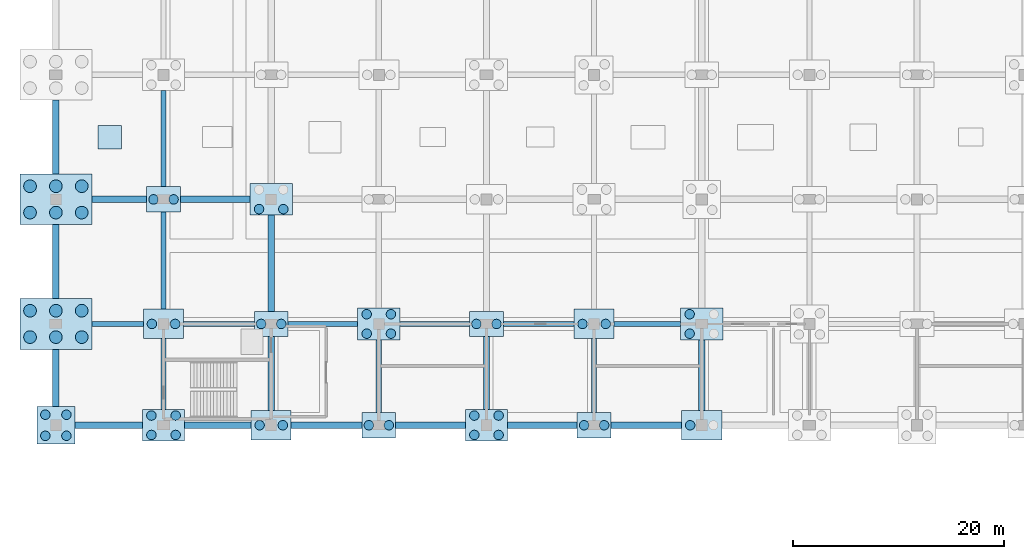
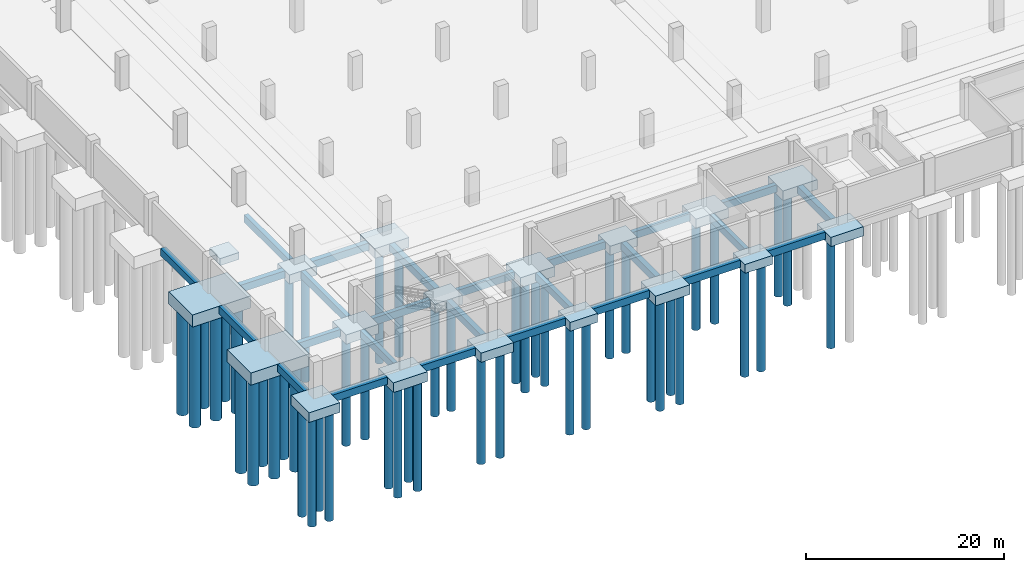
# One storey, part 1 of 52: 49 piles, 44 footings.
"""IFC4 building model written with IfcOpenShell, lengths in metres."""

from ifc_helpers import new_model, si_unit, direction, frame, origin, origin_2d, place, context, subcontext, project, spatial, polyline, rectangle, circle, outline, extrude, material, material_profile, profile_set, type_object, element, save


model = new_model("IFC4")

# Units and contexts
model_context = context("Model", 3, precision=1e-05, world=origin(), true_north=direction((0.0, 1.0)))
body_context = subcontext(model_context, "Body", "Model", "MODEL_VIEW")
ifc_project = project(units=[si_unit("LENGTHUNIT", "METRE"), si_unit("AREAUNIT", "SQUARE_METRE"), si_unit("VOLUMEUNIT", "CUBIC_METRE"), si_unit("PLANEANGLEUNIT", "RADIAN"), si_unit("MASSUNIT", "GRAM", prefix="KILO")], contexts=[model_context])

# Site, building, storey
site_placement = place(None, origin())
site = spatial("IfcSite", under=ifc_project, at=site_placement, CompositionType="ELEMENT")
building_placement = place(site_placement, origin())
building = spatial("IfcBuilding", under=site, at=building_placement, Name="Brelvane Convention Centre", CompositionType="ELEMENT")
storey_placement = place(building_placement, frame((0.0, 0.0, -4.5)))
storey = spatial("IfcBuildingStorey", under=building, at=storey_placement, Name="B1", CompositionType="ELEMENT", Elevation=-4.5)

# Piles
ifc_material_1 = material(Name="Concrete M40", Category="concrete")
ifc_material_profile_1 = material_profile(ifc_material_1, circle(Radius=0.60009765625, at=origin_2d()), Name="PILE D1200")
ifc_profile_set_1 = profile_set([ifc_material_profile_1], Name="Concrete M40")
pile_type_1 = type_object("IfcPileType", Name="Bored Pile PL-1200", PredefinedType="BORED", material=ifc_profile_set_1)
for number, where, z_axis, x_axis, name in (
    (1, (-2.449951171875, 27.550048828125, -1.85009765625), (0.0, 0.0, -1.0), (1.0, 0.0, 0.0), "Bored Pile PL-1200 1-D-1"),
    (2, (0.0, 27.550048828125, -1.85009765625), (0.0, 0.0, -1.0), (1.0, 0.0, 0.0), "Bored Pile PL-1200 1-D-2"),
    (3, (2.449951171875, 27.550048828125, -1.85009765625), (0.0, 0.0, -1.0), (1.0, 0.0, 0.0), "Bored Pile PL-1200 1-D-3"),
    (4, (-2.449951171875, 30.050048828125, -1.85009765625), (0.0, 0.0, -1.0), (1.0, 0.0, 0.0), "Bored Pile PL-1200 1-D-4"),
    (5, (0.0, 30.050048828125, -1.85009765625), (0.0, 0.0, -1.0), (1.0, 0.0, 0.0), "Bored Pile PL-1200 1-D-5"),
    (6, (2.449951171875, 30.050048828125, -1.85009765625), (0.0, 0.0, -1.0), (1.0, 0.0, 0.0), "Bored Pile PL-1200 1-D-6"),
    (7, (-2.449951171875, 39.35009765625, -1.85009765625), (0.0, 0.0, -1.0), (1.0, 0.0, 0.0), "Bored Pile PL-1200 1-E-1"),
    (8, (0.0, 39.35009765625, -1.85009765625), (0.0, 0.0, -1.0), (1.0, 0.0, 0.0), "Bored Pile PL-1200 1-E-2"),
    (9, (2.449951171875, 39.35009765625, -1.85009765625), (0.0, 0.0, -1.0), (1.0, 0.0, 0.0), "Bored Pile PL-1200 1-E-3"),
    (10, (-2.449951171875, 41.85009765625, -1.85009765625), (0.0, 0.0, -1.0), (1.0, 0.0, 0.0), "Bored Pile PL-1200 1-E-4"),
    (11, (0.0, 41.85009765625, -1.85009765625), (0.0, 0.0, -1.0), (1.0, 0.0, 0.0), "Bored Pile PL-1200 1-E-5"),
    (12, (2.449951171875, 41.85009765625, -1.85009765625), (0.0, 0.0, -1.0), (1.0, 0.0, 0.0), "Bored Pile PL-1200 1-E-6"),
):
    element("IfcPile", number, at=place(storey_placement, frame(where, z_axis=z_axis, x_axis=x_axis)), inside=storey, type_object=pile_type_1, Name=name, PredefinedType="BORED", context=body_context, shape_type="SweptSolid", body=[
        extrude(circle(Radius=0.60009765625, at=origin_2d()), origin(), (0.0, 0.0, 1.0), 13.14990234375),
    ])
ifc_material_2 = material(Name="Concrete M40", Category="concrete")
ifc_material_profile_2 = material_profile(ifc_material_2, circle(Radius=0.449951171875, at=origin_2d()), Name="PILE D900")
ifc_profile_set_2 = profile_set([ifc_material_profile_2], Name="Concrete M40")
pile_type_2 = type_object("IfcPileType", Name="Bored Pile PL-900", PredefinedType="BORED", material=ifc_profile_set_2)
for number, where, z_axis, x_axis, name in (
    (13, (-1.0, 18.199951171875, -1.550048828125), (0.0, 0.0, -1.0), (1.0, 0.0, 0.0), "Bored Pile PL-900 1-C-1"),
    (14, (1.0, 18.199951171875, -1.550048828125), (0.0, 0.0, -1.0), (1.0, 0.0, 0.0), "Bored Pile PL-900 1-C-2"),
    (15, (-1.0, 20.199951171875, -1.550048828125), (0.0, 0.0, -1.0), (1.0, 0.0, 0.0), "Bored Pile PL-900 1-C-3"),
    (16, (1.0, 20.199951171875, -1.550048828125), (0.0, 0.0, -1.0), (1.0, 0.0, 0.0), "Bored Pile PL-900 1-C-4"),
    (17, (9.050048828125, 18.280029296875, -1.550048828125), (0.0, 0.0, -1.0), (1.0, 0.0, 0.0), "Bored Pile PL-900 2-C-1"),
    (18, (11.35009765625, 18.280029296875, -1.550048828125), (0.0, 0.0, -1.0), (1.0, 0.0, 0.0), "Bored Pile PL-900 2-C-2"),
    (19, (9.050048828125, 20.1201171875, -1.550048828125), (0.0, 0.0, -1.0), (1.0, 0.0, 0.0), "Bored Pile PL-900 2-C-3"),
    (20, (11.35009765625, 20.1201171875, -1.550048828125), (0.0, 0.0, -1.0), (1.0, 0.0, 0.0), "Bored Pile PL-900 2-C-4"),
):
    element("IfcPile", number, at=place(storey_placement, frame(where, z_axis=z_axis, x_axis=x_axis)), inside=storey, type_object=pile_type_2, Name=name, PredefinedType="BORED", context=body_context, shape_type="SweptSolid", body=[
        extrude(circle(Radius=0.449951171875, at=origin_2d()), origin(), (0.0, 0.0, 1.0), 13.449951171875),
    ])
for number, where, z_axis, x_axis, name in (
    (21, (9.10009765625, 28.800048828125, -1.5), (0.0, 0.0, -1.0), (1.0, 0.0, 0.0), "Bored Pile PL-900 2-D-1"),
    (22, (11.300048828125, 28.800048828125, -1.5), (0.0, 0.0, -1.0), (1.0, 0.0, 0.0), "Bored Pile PL-900 2-D-2"),
):
    element("IfcPile", number, at=place(storey_placement, frame(where, z_axis=z_axis, x_axis=x_axis)), inside=storey, type_object=pile_type_2, Name=name, PredefinedType="BORED", context=body_context, shape_type="SweptSolid", body=[
        extrude(circle(Radius=0.449951171875, at=origin_2d()), origin(), (0.0, 0.0, 1.0), 13.5),
    ])
for number, where, z_axis, x_axis, name in (
    (23, (9.25, 40.60009765625, -1.449951171875), (0.0, 0.0, -1.0), (1.0, 0.0, 0.0), "Bored Pile PL-900 2-E-1"),
    (24, (11.14990234375, 40.60009765625, -1.449951171875), (0.0, 0.0, -1.0), (1.0, 0.0, 0.0), "Bored Pile PL-900 2-E-2"),
):
    element("IfcPile", number, at=place(storey_placement, frame(where, z_axis=z_axis, x_axis=x_axis)), inside=storey, type_object=pile_type_2, Name=name, PredefinedType="BORED", context=body_context, shape_type="SweptSolid", body=[
        extrude(circle(Radius=0.449951171875, at=origin_2d()), origin(), (0.0, 0.0, 1.0), 13.550048828125),
    ])
for number, where, z_axis, x_axis, name in (
    (25, (19.300048828125, 19.199951171875, -1.5), (0.0, 0.0, -1.0), (1.0, 0.0, 0.0), "Bored Pile PL-900 3-C-1"),
    (26, (21.5, 19.199951171875, -1.5), (0.0, 0.0, -1.0), (1.0, 0.0, 0.0), "Bored Pile PL-900 3-C-2"),
):
    element("IfcPile", number, at=place(storey_placement, frame(where, z_axis=z_axis, x_axis=x_axis)), inside=storey, type_object=pile_type_2, Name=name, PredefinedType="BORED", context=body_context, shape_type="SweptSolid", body=[
        extrude(circle(Radius=0.449951171875, at=origin_2d()), origin(), (0.0, 0.0, 1.0), 13.5),
    ])
for number, where, z_axis, x_axis, name in (
    (27, (19.449951171875, 28.800048828125, -1.449951171875), (0.0, 0.0, -1.0), (1.0, 0.0, 0.0), "Bored Pile PL-900 3-D-1"),
    (28, (21.35009765625, 28.800048828125, -1.449951171875), (0.0, 0.0, -1.0), (1.0, 0.0, 0.0), "Bored Pile PL-900 3-D-2"),
):
    element("IfcPile", number, at=place(storey_placement, frame(where, z_axis=z_axis, x_axis=x_axis)), inside=storey, type_object=pile_type_2, Name=name, PredefinedType="BORED", context=body_context, shape_type="SweptSolid", body=[
        extrude(circle(Radius=0.449951171875, at=origin_2d()), origin(), (0.0, 0.0, 1.0), 13.550048828125),
    ])
for number, where, z_axis, x_axis, name in (
    (29, (19.25, 39.679931640625, -1.550048828125), (0.0, 0.0, -1.0), (1.0, 0.0, 0.0), "Bored Pile PL-900 3-E-1"),
    (30, (21.550048828125, 39.679931640625, -1.550048828125), (0.0, 0.0, -1.0), (1.0, 0.0, 0.0), "Bored Pile PL-900 3-E-2"),
):
    element("IfcPile", number, at=place(storey_placement, frame(where, z_axis=z_axis, x_axis=x_axis)), inside=storey, type_object=pile_type_2, Name=name, PredefinedType="BORED", context=body_context, shape_type="SweptSolid", body=[
        extrude(circle(Radius=0.449951171875, at=origin_2d()), origin(), (0.0, 0.0, 1.0), 13.449951171875),
    ])
for number, where, z_axis, x_axis, name in (
    (31, (29.64990234375, 19.199951171875, -1.449951171875), (0.0, 0.0, -1.0), (1.0, 0.0, 0.0), "Bored Pile PL-900 4-C-1"),
    (32, (31.550048828125, 19.199951171875, -1.449951171875), (0.0, 0.0, -1.0), (1.0, 0.0, 0.0), "Bored Pile PL-900 4-C-2"),
):
    element("IfcPile", number, at=place(storey_placement, frame(where, z_axis=z_axis, x_axis=x_axis)), inside=storey, type_object=pile_type_2, Name=name, PredefinedType="BORED", context=body_context, shape_type="SweptSolid", body=[
        extrude(circle(Radius=0.449951171875, at=origin_2d()), origin(), (0.0, 0.0, 1.0), 13.550048828125),
    ])
for number, where, z_axis, x_axis, name in (
    (33, (29.449951171875, 27.8798828125, -1.550048828125), (0.0, 0.0, -1.0), (1.0, 0.0, 0.0), "Bored Pile PL-900 4-D-1"),
    (34, (31.75, 27.8798828125, -1.550048828125), (0.0, 0.0, -1.0), (1.0, 0.0, 0.0), "Bored Pile PL-900 4-D-2"),
    (35, (29.449951171875, 29.719970703125, -1.550048828125), (0.0, 0.0, -1.0), (1.0, 0.0, 0.0), "Bored Pile PL-900 4-D-3"),
    (36, (31.75, 29.719970703125, -1.550048828125), (0.0, 0.0, -1.0), (1.0, 0.0, 0.0), "Bored Pile PL-900 4-D-4"),
    (37, (39.64990234375, 18.280029296875, -1.550048828125), (0.0, 0.0, -1.0), (1.0, 0.0, 0.0), "Bored Pile PL-900 5-C-1"),
    (38, (41.949951171875, 18.280029296875, -1.550048828125), (0.0, 0.0, -1.0), (1.0, 0.0, 0.0), "Bored Pile PL-900 5-C-2"),
    (39, (39.64990234375, 20.1201171875, -1.550048828125), (0.0, 0.0, -1.0), (1.0, 0.0, 0.0), "Bored Pile PL-900 5-C-3"),
    (40, (41.949951171875, 20.1201171875, -1.550048828125), (0.0, 0.0, -1.0), (1.0, 0.0, 0.0), "Bored Pile PL-900 5-C-4"),
):
    element("IfcPile", number, at=place(storey_placement, frame(where, z_axis=z_axis, x_axis=x_axis)), inside=storey, type_object=pile_type_2, Name=name, PredefinedType="BORED", context=body_context, shape_type="SweptSolid", body=[
        extrude(circle(Radius=0.449951171875, at=origin_2d()), origin(), (0.0, 0.0, 1.0), 13.449951171875),
    ])
for number, where, z_axis, x_axis, name in (
    (41, (39.85009765625, 28.800048828125, -1.449951171875), (0.0, 0.0, -1.0), (1.0, 0.0, 0.0), "Bored Pile PL-900 5-D-1"),
    (42, (41.75, 28.800048828125, -1.449951171875), (0.0, 0.0, -1.0), (1.0, 0.0, 0.0), "Bored Pile PL-900 5-D-2"),
    (43, (50.050048828125, 19.199951171875, -1.449951171875), (0.0, 0.0, -1.0), (1.0, 0.0, 0.0), "Bored Pile PL-900 6-C-1"),
    (44, (51.949951171875, 19.199951171875, -1.449951171875), (0.0, 0.0, -1.0), (1.0, 0.0, 0.0), "Bored Pile PL-900 6-C-2"),
):
    element("IfcPile", number, at=place(storey_placement, frame(where, z_axis=z_axis, x_axis=x_axis)), inside=storey, type_object=pile_type_2, Name=name, PredefinedType="BORED", context=body_context, shape_type="SweptSolid", body=[
        extrude(circle(Radius=0.449951171875, at=origin_2d()), origin(), (0.0, 0.0, 1.0), 13.550048828125),
    ])
for number, where, z_axis, x_axis, name in (
    (45, (49.89990234375, 28.800048828125, -1.5), (0.0, 0.0, -1.0), (1.0, 0.0, 0.0), "Bored Pile PL-900 6-D-1"),
    (46, (52.10009765625, 28.800048828125, -1.5), (0.0, 0.0, -1.0), (1.0, 0.0, 0.0), "Bored Pile PL-900 6-D-2"),
    (47, (60.10009765625, 19.199951171875, -1.5), (0.0, 0.0, -1.0), (1.0, 0.0, 0.0), "Bored Pile PL-900 7-C-1"),
):
    element("IfcPile", number, at=place(storey_placement, frame(where, z_axis=z_axis, x_axis=x_axis)), inside=storey, type_object=pile_type_2, Name=name, PredefinedType="BORED", context=body_context, shape_type="SweptSolid", body=[
        extrude(circle(Radius=0.449951171875, at=origin_2d()), origin(), (0.0, 0.0, 1.0), 13.5),
    ])
for number, where, z_axis, x_axis, name in (
    (48, (60.050048828125, 27.8798828125, -1.550048828125), (0.0, 0.0, -1.0), (1.0, 0.0, 0.0), "Bored Pile PL-900 7-D-1"),
    (49, (60.050048828125, 29.719970703125, -1.550048828125), (0.0, 0.0, -1.0), (1.0, 0.0, 0.0), "Bored Pile PL-900 7-D-3"),
):
    element("IfcPile", number, at=place(storey_placement, frame(where, z_axis=z_axis, x_axis=x_axis)), inside=storey, type_object=pile_type_2, Name=name, PredefinedType="BORED", context=body_context, shape_type="SweptSolid", body=[
        extrude(circle(Radius=0.449951171875, at=origin_2d()), origin(), (0.0, 0.0, 1.0), 13.449951171875),
    ])

# Footings
ifc_material_3 = material(Name="Concrete M40", Category="concrete")
ifc_material_profile_3 = material_profile(ifc_material_3, rectangle(XDim=0.60009765625, YDim=0.89990234375, at=origin_2d()), Name="RC 600x900")
ifc_profile_set_3 = profile_set([ifc_material_profile_3], Name="Concrete M40")
footing_type_1 = type_object("IfcFootingType", Name="Ground Tie Beam GB-1", PredefinedType="FOOTING_BEAM", material=ifc_profile_set_3)
footing_1_placement = place(storey_placement, frame((1.800048828125, 19.199951171875, -0.89990234375), z_axis=(1.0, 0.0, 0.0), x_axis=(0.0, 1.0, 0.0)))
element("IfcFooting", 50, at=footing_1_placement, inside=storey, type_object=footing_type_1, Name="Ground Tie Beam GB-1 1-2/C", PredefinedType="FOOTING_BEAM", context=body_context, shape_type="SweptSolid", body=[
    extrude(rectangle(XDim=0.60009765625, YDim=0.89990234375, at=origin_2d()), origin(), (0.0, 0.0, 1.0), 6.39990234375),
])
footing_2_placement = place(storey_placement, frame((0.0, 21.0, -0.89990234375), z_axis=(0.0, 1.0, 0.0), x_axis=(-1.0, 0.0, 0.0)))
element("IfcFooting", 51, at=footing_2_placement, inside=storey, type_object=footing_type_1, Name="Ground Tie Beam GB-1 1/C-D", PredefinedType="FOOTING_BEAM", context=body_context, shape_type="SweptSolid", body=[
    extrude(rectangle(XDim=0.60009765625, YDim=0.89990234375, at=origin_2d()), origin(), (0.0, 0.0, 1.0), 5.39990234375),
])
footing_3_placement = place(storey_placement, frame((0.0, 31.199951171875, -0.89990234375), z_axis=(0.0, 1.0, 0.0), x_axis=(-1.0, 0.0, 0.0)))
element("IfcFooting", 52, at=footing_3_placement, inside=storey, type_object=footing_type_1, Name="Ground Tie Beam GB-1 1/D-E", PredefinedType="FOOTING_BEAM", context=body_context, shape_type="SweptSolid", body=[
    extrude(rectangle(XDim=0.60009765625, YDim=0.89990234375, at=origin_2d()), origin(), (0.0, 0.0, 1.0), 7.0),
])
footing_4_placement = place(storey_placement, frame((3.39990234375, 40.60009765625, -0.89990234375), z_axis=(1.0, 0.0, 0.0), x_axis=(0.0, 1.0, 0.0)))
element("IfcFooting", 53, at=footing_4_placement, inside=storey, type_object=footing_type_1, Name="Ground Tie Beam GB-1 1-2/E", PredefinedType="FOOTING_BEAM", context=body_context, shape_type="SweptSolid", body=[
    extrude(rectangle(XDim=0.60009765625, YDim=0.89990234375, at=origin_2d()), origin(), (0.0, 0.0, 1.0), 5.2001953125),
])
footing_5_placement = place(storey_placement, frame((0.0, 43.0, -0.89990234375), z_axis=(0.0, 1.0, 0.0), x_axis=(-1.0, 0.0, 0.0)))
element("IfcFooting", 54, at=footing_5_placement, inside=storey, type_object=footing_type_1, Name="Ground Tie Beam GB-1 1/E-F", PredefinedType="FOOTING_BEAM", context=body_context, shape_type="SweptSolid", body=[
    extrude(rectangle(XDim=0.60009765625, YDim=0.89990234375, at=origin_2d()), origin(), (0.0, 0.0, 1.0), 7.0),
])
footing_6_placement = place(storey_placement, frame((12.199951171875, 19.199951171875, -0.89990234375), z_axis=(1.0, 0.0, 0.0), x_axis=(0.0, 1.0, 0.0)))
element("IfcFooting", 55, at=footing_6_placement, inside=storey, type_object=footing_type_1, Name="Ground Tie Beam GB-1 2-3/C", PredefinedType="FOOTING_BEAM", context=body_context, shape_type="SweptSolid", body=[
    extrude(rectangle(XDim=0.60009765625, YDim=0.89990234375, at=origin_2d()), origin(), (0.0, 0.0, 1.0), 6.300048828125),
])
footing_7_placement = place(storey_placement, frame((11.800048828125, 40.60009765625, -0.89990234375), z_axis=(1.0, 0.0, 0.0), x_axis=(0.0, 1.0, 0.0)))
element("IfcFooting", 56, at=footing_7_placement, inside=storey, type_object=footing_type_1, Name="Ground Tie Beam GB-1 2-3/E", PredefinedType="FOOTING_BEAM", context=body_context, shape_type="SweptSolid", body=[
    extrude(rectangle(XDim=0.60009765625, YDim=0.89990234375, at=origin_2d()), origin(), (0.0, 0.0, 1.0), 6.599853515625),
])
footing_8_placement = place(storey_placement, frame((22.300048828125, 19.199951171875, -0.89990234375), z_axis=(1.0, 0.0, 0.0), x_axis=(0.0, 1.0, 0.0)))
element("IfcFooting", 57, at=footing_8_placement, inside=storey, type_object=footing_type_1, Name="Ground Tie Beam GB-1 3-4/C", PredefinedType="FOOTING_BEAM", context=body_context, shape_type="SweptSolid", body=[
    extrude(rectangle(XDim=0.60009765625, YDim=0.89990234375, at=origin_2d()), origin(), (0.0, 0.0, 1.0), 6.699951171875),
])
footing_9_placement = place(storey_placement, frame((20.39990234375, 20.60009765625, -0.89990234375), z_axis=(0.0, 1.0, 0.0), x_axis=(-1.0, 0.0, 0.0)))
element("IfcFooting", 58, at=footing_9_placement, inside=storey, type_object=footing_type_1, Name="Ground Tie Beam GB-1 3/C-D", PredefinedType="FOOTING_BEAM", context=body_context, shape_type="SweptSolid", body=[
    extrude(rectangle(XDim=0.60009765625, YDim=0.89990234375, at=origin_2d()), origin(), (0.0, 0.0, 1.0), 7.0),
])
footing_10_placement = place(storey_placement, frame((20.39990234375, 30.0, -0.89990234375), z_axis=(0.0, 1.0, 0.0), x_axis=(-1.0, 0.0, 0.0)))
element("IfcFooting", 59, at=footing_10_placement, inside=storey, type_object=footing_type_1, Name="Ground Tie Beam GB-1 3/D-E", PredefinedType="FOOTING_BEAM", context=body_context, shape_type="SweptSolid", body=[
    extrude(rectangle(XDim=0.60009765625, YDim=0.89990234375, at=origin_2d()), origin(), (0.0, 0.0, 1.0), 9.10009765625),
])
footing_11_placement = place(storey_placement, frame((32.199951171875, 19.199951171875, -0.89990234375), z_axis=(1.0, 0.0, 0.0), x_axis=(0.0, 1.0, 0.0)))
element("IfcFooting", 60, at=footing_11_placement, inside=storey, type_object=footing_type_1, Name="Ground Tie Beam GB-1 4-5/C", PredefinedType="FOOTING_BEAM", context=body_context, shape_type="SweptSolid", body=[
    extrude(rectangle(XDim=0.60009765625, YDim=0.89990234375, at=origin_2d()), origin(), (0.0, 0.0, 1.0), 6.60009765625),
])
footing_12_placement = place(storey_placement, frame((42.800048828125, 19.199951171875, -0.89990234375), z_axis=(1.0, 0.0, 0.0), x_axis=(0.0, 1.0, 0.0)))
element("IfcFooting", 61, at=footing_12_placement, inside=storey, type_object=footing_type_1, Name="Ground Tie Beam GB-1 5-6/C", PredefinedType="FOOTING_BEAM", context=body_context, shape_type="SweptSolid", body=[
    extrude(rectangle(XDim=0.60009765625, YDim=0.89990234375, at=origin_2d()), origin(), (0.0, 0.0, 1.0), 6.599853515625),
])
footing_13_placement = place(storey_placement, frame((40.800048828125, 20.699951171875, -0.89990234375), z_axis=(0.0, 1.0, 0.0), x_axis=(-1.0, 0.0, 0.0)))
element("IfcFooting", 62, at=footing_13_placement, inside=storey, type_object=footing_type_1, Name="Ground Tie Beam GB-1 5/C-D", PredefinedType="FOOTING_BEAM", context=body_context, shape_type="SweptSolid", body=[
    extrude(rectangle(XDim=0.60009765625, YDim=0.89990234375, at=origin_2d()), origin(), (0.0, 0.0, 1.0), 6.900146484375),
])
for number, where, z_axis, x_axis, name in (
    (63, (52.60009765625, 19.199951171875, -0.89990234375), (1.0, 0.0, 0.0), (0.0, 1.0, 0.0), "Ground Tie Beam GB-1 6-7/C"),
    (64, (61.199951171875, 20.60009765625, -0.89990234375), (0.0, 1.0, 0.0), (-1.0, 0.0, 0.0), "Ground Tie Beam GB-1 7/C-D"),
):
    element("IfcFooting", number, at=place(storey_placement, frame(where, z_axis=z_axis, x_axis=x_axis)), inside=storey, type_object=footing_type_1, Name=name, PredefinedType="FOOTING_BEAM", context=body_context, shape_type="SweptSolid", body=[
        extrude(rectangle(XDim=0.60009765625, YDim=0.89990234375, at=origin_2d()), origin(), (0.0, 0.0, 1.0), 6.699951171875),
    ])
ifc_material_4 = material(Name="Concrete M40", Category="concrete")
ifc_material_profile_4 = material_profile(ifc_material_4, rectangle(XDim=0.5, YDim=0.89990234375, at=origin_2d()), Name="RC 500x900")
ifc_profile_set_4 = profile_set([ifc_material_profile_4], Name="Concrete M40")
footing_type_2 = type_object("IfcFootingType", Name="Ground Tie Beam GB-2", PredefinedType="FOOTING_BEAM", material=ifc_profile_set_4)
footing_14_placement = place(storey_placement, frame((3.39990234375, 28.800048828125, -0.89990234375), z_axis=(1.0, 0.0, 0.0), x_axis=(0.0, 1.0, 0.0)))
element("IfcFooting", 65, at=footing_14_placement, inside=storey, type_object=footing_type_2, Name="Ground Tie Beam GB-2 1-2/D", PredefinedType="FOOTING_BEAM", context=body_context, shape_type="SweptSolid", body=[
    extrude(rectangle(XDim=0.5, YDim=0.89990234375, at=origin_2d()), origin(), (0.0, 0.0, 1.0), 4.900146484375),
])
for number, where, z_axis, x_axis, name in (
    (66, (10.199951171875, 20.699951171875, -0.89990234375), (0.0, 1.0, 0.0), (-1.0, 0.0, 0.0), "Ground Tie Beam GB-2 2/C-D"),
    (67, (12.10009765625, 28.800048828125, -0.89990234375), (1.0, 0.0, 0.0), (0.0, 1.0, 0.0), "Ground Tie Beam GB-2 2-3/D"),
):
    element("IfcFooting", number, at=place(storey_placement, frame(where, z_axis=z_axis, x_axis=x_axis)), inside=storey, type_object=footing_type_2, Name=name, PredefinedType="FOOTING_BEAM", context=body_context, shape_type="SweptSolid", body=[
        extrude(rectangle(XDim=0.5, YDim=0.89990234375, at=origin_2d()), origin(), (0.0, 0.0, 1.0), 6.699951171875),
    ])
footing_15_placement = place(storey_placement, frame((10.199951171875, 30.199951171875, -0.89990234375), z_axis=(0.0, 1.0, 0.0), x_axis=(-1.0, 0.0, 0.0)))
element("IfcFooting", 68, at=footing_15_placement, inside=storey, type_object=footing_type_2, Name="Ground Tie Beam GB-2 2/D-E", PredefinedType="FOOTING_BEAM", context=body_context, shape_type="SweptSolid", body=[
    extrude(rectangle(XDim=0.5, YDim=0.89990234375, at=origin_2d()), origin(), (0.0, 0.0, 1.0), 9.199951171875),
])
footing_16_placement = place(storey_placement, frame((10.199951171875, 41.800048828125, -0.89990234375), z_axis=(0.0, 1.0, 0.0), x_axis=(-1.0, 0.0, 0.0)))
element("IfcFooting", 69, at=footing_16_placement, inside=storey, type_object=footing_type_2, Name="Ground Tie Beam GB-2 2/E-F", PredefinedType="FOOTING_BEAM", context=body_context, shape_type="SweptSolid", body=[
    extrude(rectangle(XDim=0.5, YDim=0.89990234375, at=origin_2d()), origin(), (0.0, 0.0, 1.0), 9.099853515625),
])
footing_17_placement = place(storey_placement, frame((22.0, 28.800048828125, -0.89990234375), z_axis=(1.0, 0.0, 0.0), x_axis=(0.0, 1.0, 0.0)))
element("IfcFooting", 70, at=footing_17_placement, inside=storey, type_object=footing_type_2, Name="Ground Tie Beam GB-2 3-4/D", PredefinedType="FOOTING_BEAM", context=body_context, shape_type="SweptSolid", body=[
    extrude(rectangle(XDim=0.5, YDim=0.89990234375, at=origin_2d()), origin(), (0.0, 0.0, 1.0), 6.60009765625),
])
footing_18_placement = place(storey_placement, frame((30.60009765625, 20.39990234375, -0.89990234375), z_axis=(0.0, 1.0, 0.0), x_axis=(-1.0, 0.0, 0.0)))
element("IfcFooting", 71, at=footing_18_placement, inside=storey, type_object=footing_type_2, Name="Ground Tie Beam GB-2 4/C-D", PredefinedType="FOOTING_BEAM", context=body_context, shape_type="SweptSolid", body=[
    extrude(rectangle(XDim=0.5, YDim=0.89990234375, at=origin_2d()), origin(), (0.0, 0.0, 1.0), 6.900146484375),
])
footing_19_placement = place(storey_placement, frame((32.60009765625, 28.800048828125, -0.89990234375), z_axis=(1.0, 0.0, 0.0), x_axis=(0.0, 1.0, 0.0)))
element("IfcFooting", 72, at=footing_19_placement, inside=storey, type_object=footing_type_2, Name="Ground Tie Beam GB-2 4-5/D", PredefinedType="FOOTING_BEAM", context=body_context, shape_type="SweptSolid", body=[
    extrude(rectangle(XDim=0.5, YDim=0.89990234375, at=origin_2d()), origin(), (0.0, 0.0, 1.0), 6.599853515625),
])
footing_20_placement = place(storey_placement, frame((42.39990234375, 28.800048828125, -0.89990234375), z_axis=(1.0, 0.0, 0.0), x_axis=(0.0, 1.0, 0.0)))
element("IfcFooting", 73, at=footing_20_placement, inside=storey, type_object=footing_type_2, Name="Ground Tie Beam GB-2 5-6/D", PredefinedType="FOOTING_BEAM", context=body_context, shape_type="SweptSolid", body=[
    extrude(rectangle(XDim=0.5, YDim=0.89990234375, at=origin_2d()), origin(), (0.0, 0.0, 1.0), 6.7001953125),
])
footing_21_placement = place(storey_placement, frame((51.0, 20.39990234375, -0.89990234375), z_axis=(0.0, 1.0, 0.0), x_axis=(-1.0, 0.0, 0.0)))
element("IfcFooting", 74, at=footing_21_placement, inside=storey, type_object=footing_type_2, Name="Ground Tie Beam GB-2 6/C-D", PredefinedType="FOOTING_BEAM", context=body_context, shape_type="SweptSolid", body=[
    extrude(rectangle(XDim=0.5, YDim=0.89990234375, at=origin_2d()), origin(), (0.0, 0.0, 1.0), 7.0),
])
footing_22_placement = place(storey_placement, frame((52.89990234375, 28.800048828125, -0.89990234375), z_axis=(1.0, 0.0, 0.0), x_axis=(0.0, 1.0, 0.0)))
element("IfcFooting", 75, at=footing_22_placement, inside=storey, type_object=footing_type_2, Name="Ground Tie Beam GB-2 6-7/D", PredefinedType="FOOTING_BEAM", context=body_context, shape_type="SweptSolid", body=[
    extrude(rectangle(XDim=0.5, YDim=0.89990234375, at=origin_2d()), origin(), (0.0, 0.0, 1.0), 6.300048828125),
])
ifc_material_5 = material(Name="Concrete M40", Category="concrete")
footing_type_3 = type_object("IfcFootingType", Name="Pad Footing PF-1", PredefinedType="PAD_FOOTING", material=ifc_material_5)
footing_23_placement = place(storey_placement, frame((0.0, 0.0, -1.300048828125)))
element("IfcFooting", 76, at=footing_23_placement, inside=storey, type_object=footing_type_3, Name="Sub-Slab Equipment Pad Footing PF-1", PredefinedType="PAD_FOOTING", context=body_context, shape_type="SweptSolid", body=[
    extrude(outline(polyline([(4.0, 45.39990234375), (6.199951171875, 45.39990234375), (6.199951171875, 47.60009765625), (4.0, 47.60009765625), (4.0, 45.39990234375)])), origin(), (0.0, 0.0, 1.0), 0.85009765625),
])
ifc_material_6 = material(Name="Concrete M40", Category="concrete")
footing_type_4 = type_object("IfcFootingType", Name="Pile Cap PC-2", PredefinedType="PILE_CAP", material=ifc_material_6)
footing_24_placement = place(storey_placement, frame((0.0, 0.0, -1.550048828125)))
element("IfcFooting", 77, at=footing_24_placement, inside=storey, type_object=footing_type_4, Name="Pile Cap PC-2 at 2-E", PredefinedType="PILE_CAP", context=body_context, shape_type="SweptSolid", body=[
    extrude(outline(polyline([(8.60009765625, 39.39990234375), (11.800048828125, 39.39990234375), (11.800048828125, 41.800048828125), (8.60009765625, 41.800048828125), (8.60009765625, 39.39990234375)])), origin(), (0.0, 0.0, 1.0), 1.10009765625),
])
footing_25_placement = place(storey_placement, frame((0.0, 0.0, -1.550048828125)))
element("IfcFooting", 78, at=footing_25_placement, inside=storey, type_object=footing_type_4, Name="Pile Cap PC-2 at 3-D", PredefinedType="PILE_CAP", context=body_context, shape_type="SweptSolid", body=[
    extrude(outline(polyline([(18.800048828125, 27.60009765625), (22.0, 27.60009765625), (22.0, 30.0), (18.800048828125, 30.0), (18.800048828125, 27.60009765625)])), origin(), (0.0, 0.0, 1.0), 1.10009765625),
])
footing_26_placement = place(storey_placement, frame((0.0, 0.0, -1.550048828125)))
element("IfcFooting", 79, at=footing_26_placement, inside=storey, type_object=footing_type_4, Name="Pile Cap PC-2 at 4-C", PredefinedType="PILE_CAP", context=body_context, shape_type="SweptSolid", body=[
    extrude(outline(polyline([(29.0, 18.0), (32.199951171875, 18.0), (32.199951171875, 20.39990234375), (29.0, 20.39990234375), (29.0, 18.0)])), origin(), (0.0, 0.0, 1.0), 1.10009765625),
])
footing_27_placement = place(storey_placement, frame((0.0, 0.0, -1.550048828125)))
element("IfcFooting", 80, at=footing_27_placement, inside=storey, type_object=footing_type_4, Name="Pile Cap PC-2 at 5-D", PredefinedType="PILE_CAP", context=body_context, shape_type="SweptSolid", body=[
    extrude(outline(polyline([(39.199951171875, 27.60009765625), (42.39990234375, 27.60009765625), (42.39990234375, 30.0), (39.199951171875, 30.0), (39.199951171875, 27.60009765625)])), origin(), (0.0, 0.0, 1.0), 1.10009765625),
])
footing_28_placement = place(storey_placement, frame((0.0, 0.0, -1.550048828125)))
element("IfcFooting", 81, at=footing_28_placement, inside=storey, type_object=footing_type_4, Name="Pile Cap PC-2 at 6-C", PredefinedType="PILE_CAP", context=body_context, shape_type="SweptSolid", body=[
    extrude(outline(polyline([(49.39990234375, 18.0), (52.60009765625, 18.0), (52.60009765625, 20.39990234375), (49.39990234375, 20.39990234375), (49.39990234375, 18.0)])), origin(), (0.0, 0.0, 1.0), 1.10009765625),
])
ifc_material_7 = material(Name="Concrete M40", Category="concrete")
footing_type_5 = type_object("IfcFootingType", Name="Pile Cap PC-3", PredefinedType="PILE_CAP", material=ifc_material_7)
footing_29_placement = place(storey_placement, frame((0.0, 0.0, -1.64990234375)))
element("IfcFooting", 82, at=footing_29_placement, inside=storey, type_object=footing_type_5, Name="Pile Cap PC-3 at 1-C", PredefinedType="PILE_CAP", context=body_context, shape_type="SweptSolid", body=[
    extrude(outline(polyline([(-1.800048828125, 17.39990234375), (1.800048828125, 17.39990234375), (1.800048828125, 21.0), (-1.800048828125, 21.0), (-1.800048828125, 17.39990234375)])), origin(), (0.0, 0.0, 1.0), 1.199951171875),
])
ifc_material_8 = material(Name="Concrete M40", Category="concrete")
footing_type_6 = type_object("IfcFootingType", Name="Pile Cap PC-4", PredefinedType="PILE_CAP", material=ifc_material_8)
footing_30_placement = place(storey_placement, frame((0.0, 0.0, -1.64990234375)))
element("IfcFooting", 83, at=footing_30_placement, inside=storey, type_object=footing_type_6, Name="Pile Cap PC-4 at 2-C", PredefinedType="PILE_CAP", context=body_context, shape_type="SweptSolid", body=[
    extrude(outline(polyline([(8.199951171875, 17.699951171875), (12.199951171875, 17.699951171875), (12.199951171875, 20.699951171875), (8.199951171875, 20.699951171875), (8.199951171875, 17.699951171875)])), origin(), (0.0, 0.0, 1.0), 1.199951171875),
])
footing_31_placement = place(storey_placement, frame((0.0, 0.0, -1.64990234375)))
element("IfcFooting", 84, at=footing_31_placement, inside=storey, type_object=footing_type_6, Name="Pile Cap PC-4 at 3-E", PredefinedType="PILE_CAP", context=body_context, shape_type="SweptSolid", body=[
    extrude(outline(polyline([(18.39990234375, 39.10009765625), (22.39990234375, 39.10009765625), (22.39990234375, 42.10009765625), (18.39990234375, 42.10009765625), (18.39990234375, 39.10009765625)])), origin(), (0.0, 0.0, 1.0), 1.199951171875),
])
footing_32_placement = place(storey_placement, frame((0.0, 0.0, -1.64990234375)))
element("IfcFooting", 85, at=footing_32_placement, inside=storey, type_object=footing_type_6, Name="Pile Cap PC-4 at 4-D", PredefinedType="PILE_CAP", context=body_context, shape_type="SweptSolid", body=[
    extrude(outline(polyline([(28.60009765625, 27.300048828125), (32.60009765625, 27.300048828125), (32.60009765625, 30.300048828125), (28.60009765625, 30.300048828125), (28.60009765625, 27.300048828125)])), origin(), (0.0, 0.0, 1.0), 1.199951171875),
])
footing_33_placement = place(storey_placement, frame((0.0, 0.0, -1.64990234375)))
element("IfcFooting", 86, at=footing_33_placement, inside=storey, type_object=footing_type_6, Name="Pile Cap PC-4 at 5-C", PredefinedType="PILE_CAP", context=body_context, shape_type="SweptSolid", body=[
    extrude(outline(polyline([(38.800048828125, 17.699951171875), (42.800048828125, 17.699951171875), (42.800048828125, 20.699951171875), (38.800048828125, 20.699951171875), (38.800048828125, 17.699951171875)])), origin(), (0.0, 0.0, 1.0), 1.199951171875),
])
footing_34_placement = place(storey_placement, frame((0.0, 0.0, -1.64990234375)))
element("IfcFooting", 87, at=footing_34_placement, inside=storey, type_object=footing_type_6, Name="Pile Cap PC-4 at 7-D", PredefinedType="PILE_CAP", context=body_context, shape_type="SweptSolid", body=[
    extrude(outline(polyline([(59.199951171875, 27.300048828125), (63.199951171875, 27.300048828125), (63.199951171875, 30.300048828125), (59.199951171875, 30.300048828125), (59.199951171875, 27.300048828125)])), origin(), (0.0, 0.0, 1.0), 1.199951171875),
])
ifc_material_9 = material(Name="Concrete M40", Category="concrete")
footing_type_7 = type_object("IfcFootingType", Name="Pile Cap PC-8", PredefinedType="PILE_CAP", material=ifc_material_9)
footing_35_placement = place(storey_placement, frame((0.0, 0.0, -1.949951171875)))
element("IfcFooting", 88, at=footing_35_placement, inside=storey, type_object=footing_type_7, Name="Pile Cap PC-8 at 1-D", PredefinedType="PILE_CAP", context=body_context, shape_type="SweptSolid", body=[
    extrude(outline(polyline([(-3.39990234375, 26.39990234375), (3.39990234375, 26.39990234375), (3.39990234375, 31.199951171875), (-3.39990234375, 31.199951171875), (-3.39990234375, 26.39990234375)])), origin(), (0.0, 0.0, 1.0), 1.5),
])
footing_36_placement = place(storey_placement, frame((0.0, 0.0, -1.949951171875)))
element("IfcFooting", 89, at=footing_36_placement, inside=storey, type_object=footing_type_7, Name="Pile Cap PC-8 at 1-E", PredefinedType="PILE_CAP", context=body_context, shape_type="SweptSolid", body=[
    extrude(outline(polyline([(-3.39990234375, 38.199951171875), (3.39990234375, 38.199951171875), (3.39990234375, 43.0), (-3.39990234375, 43.0), (-3.39990234375, 38.199951171875)])), origin(), (0.0, 0.0, 1.0), 1.5),
])
ifc_material_10 = material(Name="Concrete M40", Category="concrete")
footing_type_8 = type_object("IfcFootingType", Name="Pile Cap PC-9", PredefinedType="PILE_CAP", material=ifc_material_10)
footing_37_placement = place(storey_placement, frame((0.0, 0.0, -1.60009765625)))
element("IfcFooting", 90, at=footing_37_placement, inside=storey, type_object=footing_type_8, Name="Pile Cap PC-9 at 2-D", PredefinedType="PILE_CAP", context=body_context, shape_type="SweptSolid", body=[
    extrude(outline(polyline([(8.300048828125, 27.39990234375), (12.10009765625, 27.39990234375), (12.10009765625, 30.199951171875), (8.300048828125, 30.199951171875), (8.300048828125, 27.39990234375)])), origin(), (0.0, 0.0, 1.0), 1.150146484375),
])
footing_38_placement = place(storey_placement, frame((0.0, 0.0, -1.60009765625)))
element("IfcFooting", 91, at=footing_38_placement, inside=storey, type_object=footing_type_8, Name="Pile Cap PC-9 at 3-C", PredefinedType="PILE_CAP", context=body_context, shape_type="SweptSolid", body=[
    extrude(outline(polyline([(18.5, 17.800048828125), (22.300048828125, 17.800048828125), (22.300048828125, 20.60009765625), (18.5, 20.60009765625), (18.5, 17.800048828125)])), origin(), (0.0, 0.0, 1.0), 1.150146484375),
])
footing_39_placement = place(storey_placement, frame((0.0, 0.0, -1.60009765625)))
element("IfcFooting", 92, at=footing_39_placement, inside=storey, type_object=footing_type_8, Name="Pile Cap PC-9 at 6-D", PredefinedType="PILE_CAP", context=body_context, shape_type="SweptSolid", body=[
    extrude(outline(polyline([(49.10009765625, 27.39990234375), (52.89990234375, 27.39990234375), (52.89990234375, 30.199951171875), (49.10009765625, 30.199951171875), (49.10009765625, 27.39990234375)])), origin(), (0.0, 0.0, 1.0), 1.150146484375),
])
footing_40_placement = place(storey_placement, frame((0.0, 0.0, -1.60009765625)))
element("IfcFooting", 93, at=footing_40_placement, inside=storey, type_object=footing_type_8, Name="Pile Cap PC-9 at 7-C", PredefinedType="PILE_CAP", context=body_context, shape_type="SweptSolid", body=[
    extrude(outline(polyline([(59.300048828125, 17.800048828125), (63.10009765625, 17.800048828125), (63.10009765625, 20.60009765625), (59.300048828125, 20.60009765625), (59.300048828125, 17.800048828125)])), origin(), (0.0, 0.0, 1.0), 1.150146484375),
])

save(model, "model.ifc")
